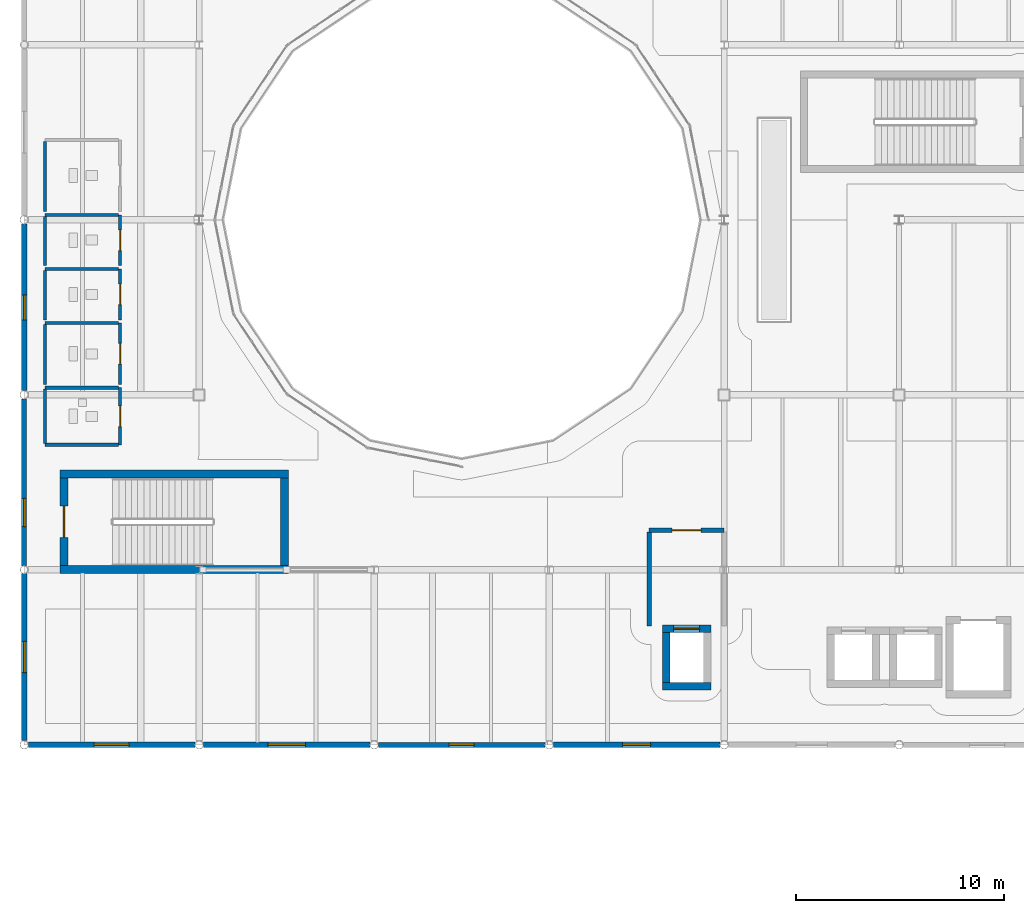
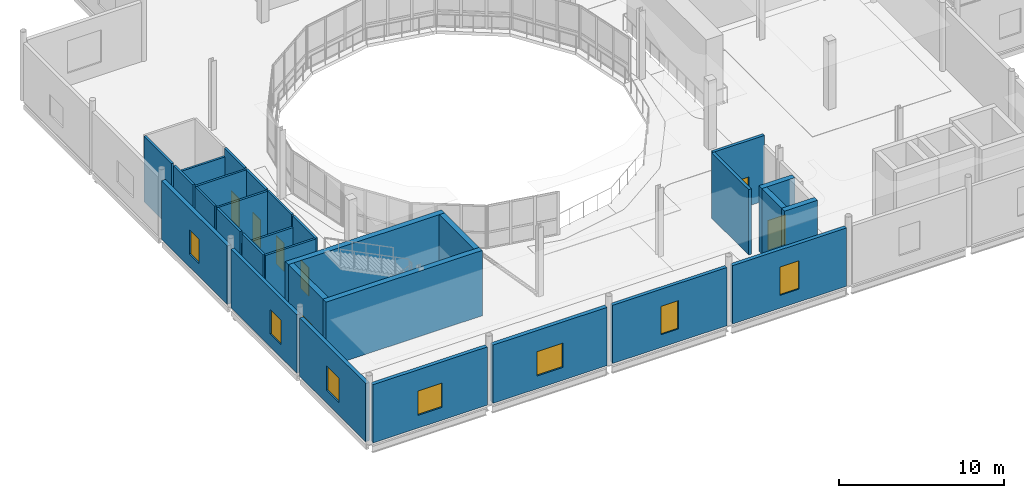
# One storey, part 62 of 103: 30 walls, 7 doors, 7 windows, 14 openings.
"""IFC4 building model written with IfcOpenShell, lengths in metres."""

import ifcopenshell
import ifcopenshell.guid

model = None  # the IFC model being written
_history = None  # IfcOwnerHistory: only IFC2X3 demands one
_inside = {}  # id of a spatial element -> (the spatial element, [elements in it])
_under = {}  # id of a project, library or spatial element -> (it, [spatial elements below it])
_declared = {}  # id of a project -> (the project, [libraries it declares])
_typed = {}  # id of a type object -> (the type object, [elements of that type])
_made_of = {}  # id of a material, layer set ... -> (it, [elements and type objects made of it])


def new_model(schema):
    """Start an empty IFC model of exactly this schema.

    Asked for "IFC4X3", IfcOpenShell would pick the latest addendum, in which some entities
    have other attributes; the version numbers below select the first issue.
    IFC2X3 requires an IfcOwnerHistory on every rooted entity: one is made here for all.
    """
    global model, _history
    if schema == "IFC4X3":
        model = ifcopenshell.file(schema_version=(4, 3, 0, 0))
    else:
        model = ifcopenshell.file(schema=schema)
    _inside.clear()
    _under.clear()
    _declared.clear()
    _typed.clear()
    _made_of.clear()
    _history = None
    if model.schema == "IFC2X3":
        org = make("IfcOrganization", Name="unknown")
        user = make(
            "IfcPersonAndOrganization",
            ThePerson=make("IfcPerson", FamilyName="unknown"),
            TheOrganization=org,
        )
        app = make(
            "IfcApplication",
            ApplicationDeveloper=org,
            Version="unknown",
            ApplicationFullName="unknown",
            ApplicationIdentifier="unknown",
        )
        _history = make(
            "IfcOwnerHistory",
            OwningUser=user,
            OwningApplication=app,
            ChangeAction="ADDED",
            CreationDate=0,
        )
    return model


def make(cls, **values):
    """One entity of the class cls with the attributes given. An attribute that is None is left unset."""
    return model.create_entity(
        cls, **{name: value for name, value in values.items() if value is not None}
    )


def rooted(cls, **values):
    """An entity with a GlobalId (a new one), such as an element, a storey or a relation."""
    return make(cls, GlobalId=ifcopenshell.guid.new(), OwnerHistory=_history, **values)


def si_unit(unit_type, name, prefix=None):
    """IfcSIUnit, for example si_unit("LENGTHUNIT", "METRE", prefix="MILLI")."""
    return make("IfcSIUnit", UnitType=unit_type, Prefix=prefix, Name=name)


def assignment(units):
    """IfcUnitAssignment: the units of a project."""
    return None if units is None else make("IfcUnitAssignment", Units=units)


def point(xyz):
    """IfcCartesianPoint."""
    return None if xyz is None else make("IfcCartesianPoint", Coordinates=xyz)


def direction(xyz):
    """IfcDirection."""
    return None if xyz is None else make("IfcDirection", DirectionRatios=xyz)


def frame(location, z_axis=None, x_axis=None):
    """IfcAxis2Placement3D, a coordinate frame: its origin and axes. An axis left out is left unset."""
    return make(
        "IfcAxis2Placement3D",
        Location=point(location),
        Axis=direction(z_axis),
        RefDirection=direction(x_axis),
    )


def frame_2d(location, x_axis=None):
    """IfcAxis2Placement2D, a coordinate frame in the plane: its origin and x axis."""
    return make(
        "IfcAxis2Placement2D", Location=point(location), RefDirection=direction(x_axis)
    )


def origin():
    """The frame at (0, 0, 0) with its axes left unset."""
    return frame((0.0, 0.0, 0.0))


def place(relative_to, where):
    """IfcLocalPlacement: puts the frame where relative to a parent placement (None: the world)."""
    return make(
        "IfcLocalPlacement", PlacementRelTo=relative_to, RelativePlacement=where
    )


def context(
    kind, dimensions, precision=None, world=None, true_north=None, identifier=None
):
    """IfcGeometricRepresentationContext, for example the 3D "Model" context."""
    return make(
        "IfcGeometricRepresentationContext",
        ContextIdentifier=identifier,
        ContextType=kind,
        CoordinateSpaceDimension=dimensions,
        Precision=precision,
        WorldCoordinateSystem=world,
        TrueNorth=true_north,
    )


def subcontext(parent, identifier, kind, view, scale=None):
    """IfcGeometricRepresentationSubContext, for example "Body" below "Model"."""
    return make(
        "IfcGeometricRepresentationSubContext",
        ContextIdentifier=identifier,
        ContextType=kind,
        ParentContext=parent,
        TargetScale=scale,
        TargetView=view,
    )


def project(units=None, contexts=None):
    """IfcProject with its units and contexts."""
    return rooted(
        "IfcProject",
        Name="project",
        RepresentationContexts=contexts,
        UnitsInContext=assignment(units),
    )


def spatial(cls, under=None, at=None, **own):
    """A site, building, storey or space (cls), placed at a placement, below another one or the project."""
    s = rooted(cls, ObjectPlacement=at, **own)
    if under is not None:
        _under.setdefault(under.id(), (under, []))[1].append(s)
    return s


def profile(cls, at=None, kind="AREA", **sizes):
    """A parametric profile (cls). Its sizes go by their IFC names, for example OverallWidth=200.0."""
    return make(cls, ProfileType=kind, Position=at, **sizes)


def rectangle(**sizes):
    """IfcRectangleProfileDef."""
    return profile("IfcRectangleProfileDef", **sizes)


def extrude(swept, where, along, depth):
    """IfcExtrudedAreaSolid: the profile swept, set in the frame where, extruded along a direction by depth."""
    return make(
        "IfcExtrudedAreaSolid",
        SweptArea=swept,
        Position=where,
        ExtrudedDirection=direction(along),
        Depth=depth,
    )


def shape(context_of_items, identifier, shape_type, items):
    """IfcShapeRepresentation: the items that make up one representation, for example the "Body"."""
    return make(
        "IfcShapeRepresentation",
        ContextOfItems=context_of_items,
        RepresentationIdentifier=identifier,
        RepresentationType=shape_type,
        Items=items,
    )


def material(Name=None, Category=None):
    """IfcMaterial."""
    return make("IfcMaterial", Name=Name, Category=Category)


def layer(
    of_material, thickness, ventilated=None, Name=None, Category=None, Priority=None
):
    """IfcMaterialLayer: one layer of a wall or slab, of a material (None: an air gap)."""
    return make(
        "IfcMaterialLayer",
        Material=of_material,
        LayerThickness=thickness,
        IsVentilated=ventilated,
        Name=Name,
        Category=Category,
        Priority=Priority,
    )


def layer_set(layers, Name=None):
    """IfcMaterialLayerSet."""
    return make("IfcMaterialLayerSet", MaterialLayers=layers, LayerSetName=Name)


def made_of(thing, what):
    """Note that an element or type object is made of a material, layer set ...; save() writes the relation."""
    if what is not None:
        _made_of.setdefault(what.id(), (what, []))[1].append(thing)
    return thing


def type_object(cls, material=None, **own):
    """A type object (cls), such as IfcWallType, which elements share."""
    return made_of(rooted(cls, **own), material)


def element(
    cls,
    number,
    at=None,
    inside=None,
    cuts=None,
    type_object=None,
    material=None,
    context=None,
    identifier="Body",
    shape_type=None,
    held_by="IfcProductDefinitionShape",
    body=None,
    shapes=None,
    **own,
):
    """One element of the class cls, such as IfcWall. Its Tag is "e" and its number.

    at: its placement. inside: the storey or other place that contains it. cuts: it is an
    opening in that element (IfcRelVoidsElement). A single representation is given by context,
    identifier, shape_type and body (its items); several are given by shapes. held_by: the class
    of the entity that holds the representations. save() writes the other relations.
    """
    e = rooted(cls, Tag="e%d" % number, ObjectPlacement=at, **own)
    if body is not None:
        shapes = [shape(context, identifier, shape_type, body)]
    if shapes is not None:
        e.Representation = make(held_by, Representations=shapes)
    if inside is not None:
        _inside.setdefault(inside.id(), (inside, []))[1].append(e)
    if cuts is not None:
        rooted(
            "IfcRelVoidsElement", RelatingBuildingElement=cuts, RelatedOpeningElement=e
        )
    if type_object is not None:
        _typed.setdefault(type_object.id(), (type_object, []))[1].append(e)
    return made_of(e, material)


def fill(opening, filler):
    """IfcRelFillsElement: the door or window that sits in an opening."""
    return rooted(
        "IfcRelFillsElement",
        RelatingOpeningElement=opening,
        RelatedBuildingElement=filler,
    )


def aggregate(whole, parts):
    """IfcRelAggregates: a whole, such as a stair, and the parts it consists of."""
    return rooted("IfcRelAggregates", RelatingObject=whole, RelatedObjects=parts)


def save(model, path):
    """Write the relations noted so far, then the file.

    IfcRelAggregates (storeys below a building ...), IfcRelContainedInSpatialStructure (elements
    in a storey), IfcRelDefinesByType, IfcRelAssociatesMaterial and IfcRelDeclares: one each for
    every whole, place, type object, material and project.
    """
    for whole, parts in _under.values():
        aggregate(whole, parts)
    for where, things in _inside.values():
        rooted(
            "IfcRelContainedInSpatialStructure",
            RelatedElements=things,
            RelatingStructure=where,
        )
    for kind, things in _typed.values():
        rooted("IfcRelDefinesByType", RelatedObjects=things, RelatingType=kind)
    for what, things in _made_of.values():
        rooted("IfcRelAssociatesMaterial", RelatedObjects=things, RelatingMaterial=what)
    for by, libraries in _declared.values():
        rooted("IfcRelDeclares", RelatingContext=by, RelatedDefinitions=libraries)
    model.write(path)


model = new_model("IFC4")

# Units and contexts
model_context = context("Model", 3, precision=1e-05, world=origin(), true_north=direction((0.0, 1.0)))
body_context = subcontext(model_context, "Body", "Model", "MODEL_VIEW")
ifc_project = project(units=[si_unit("LENGTHUNIT", "METRE"), si_unit("AREAUNIT", "SQUARE_METRE"), si_unit("VOLUMEUNIT", "CUBIC_METRE"), si_unit("PLANEANGLEUNIT", "RADIAN"), si_unit("MASSUNIT", "GRAM", prefix="KILO"), si_unit("THERMODYNAMICTEMPERATUREUNIT", "KELVIN")], contexts=[model_context])

# Site, building, storey
site_placement = place(None, origin())
site = spatial("IfcSite", under=ifc_project, at=site_placement, CompositionType="ELEMENT")
building_placement = place(site_placement, origin())
building = spatial("IfcBuilding", under=site, at=building_placement, Name="Lustrewick Department Store", CompositionType="ELEMENT")
storey_placement = place(building_placement, frame((0.0, 0.0, 16.5)))
storey = spatial("IfcBuildingStorey", under=building, at=storey_placement, Name="L04", CompositionType="ELEMENT", Elevation=16.5)

# Wall, opening, window
ifc_material_1 = material(Name="Precast concrete C40", Category="concrete")
ifc_layer_1 = layer(ifc_material_1, 0.239990234375, Name="Precast concrete C40")
ifc_layer_set_1 = layer_set([ifc_layer_1], Name="Precast concrete C40")
wall_type_1 = type_object("IfcWallType", Name="EW01", PredefinedType="STANDARD", material=ifc_layer_set_1)
wall_1_placement = place(storey_placement, frame((8.39990234375, 58.60205078125, 0.0), z_axis=(0.0, 0.0, 1.0), x_axis=(0.0, -1.0, 0.0)))
wall_1 = element("IfcWall", 1, at=wall_1_placement, inside=storey, type_object=wall_type_1, Name="L04 V1 Exterior Wall EW01", PredefinedType="STANDARD", context=body_context, shape_type="SweptSolid", body=[
    extrude(rectangle(XDim=8.0185546875, YDim=0.239990234375, at=frame_2d((4.00927734375, 0.0))), origin(), (0.0, 0.0, 1.0), 4.3310546875),
])
opening_1_placement = place(wall_1_placement, frame((4.777587890625, 0.0, 0.949951171875)))
opening_1 = element("IfcOpeningElement", 2, at=opening_1_placement, cuts=wall_1, Name="Opening WN02", PredefinedType="OPENING", context=body_context, shape_type="SweptSolid", body=[
    extrude(rectangle(XDim=1.35009765625, YDim=1.800048828125, at=frame_2d((0.675048828125, 0.89990234375))), frame((0.0, 0.1298828125, 0.0), z_axis=(0.0, -1.0, 0.0), x_axis=(1.0, 0.0, 0.0)), (0.0, 0.0, 1.0), 0.260009765625),
])
ifc_material_2 = material(Name="Thermally broken Low-E triple-glazed window", Category="glass")
window_type_1 = type_object("IfcWindowType", Name="WN02", PartitioningType="DOUBLE_PANEL_VERTICAL", PredefinedType="WINDOW", material=ifc_material_2)
window_1_placement = place(opening_1_placement, origin())
window_1 = element("IfcWindow", 3, at=window_1_placement, inside=storey, type_object=window_type_1, Name="L04 Art Nouveau Window WN02", OverallHeight=1.800048828125, OverallWidth=1.35009765625, PartitioningType="SINGLE_PANEL", PredefinedType="WINDOW", context=body_context, shape_type="SweptSolid", body=[
    extrude(rectangle(XDim=1.35009765625, YDim=1.800048828125, at=frame_2d((0.675048828125, 0.89990234375))), frame((0.0, 0.030029296875, 0.0), z_axis=(0.0, -1.0, 0.0), x_axis=(1.0, 0.0, 0.0)), (0.0, 0.0, 1.0), 0.06005859375),
])
fill(opening_1, window_1)

wall_2_placement = place(storey_placement, frame((25.39794921875, 42.0, 0.0), z_axis=(0.0, 0.0, 1.0), x_axis=(1.0, 0.0, 0.0)))
wall_2 = element("IfcWall", 4, at=wall_2_placement, inside=storey, type_object=wall_type_1, Name="L04 V1 Exterior Wall EW01", PredefinedType="STANDARD", context=body_context, shape_type="SweptSolid", body=[
    extrude(rectangle(XDim=8.004150390625, YDim=0.239990234375, at=frame_2d((4.001953125, 0.0))), origin(), (0.0, 0.0, 1.0), 4.320068359375),
])
opening_2_placement = place(wall_2_placement, frame((3.402099609375, 0.0, 0.949951171875)))
opening_2 = element("IfcOpeningElement", 5, at=opening_2_placement, cuts=wall_2, Name="Opening WN06", PredefinedType="OPENING", context=body_context, shape_type="SweptSolid", body=[
    extrude(rectangle(XDim=1.199951171875, YDim=2.10009765625, at=frame_2d((0.60009765625, 1.050048828125))), frame((0.0, 0.1298828125, 0.0), z_axis=(0.0, -1.0, 0.0), x_axis=(1.0, 0.0, 0.0)), (0.0, 0.0, 1.0), 0.260009765625),
])
window_type_2 = type_object("IfcWindowType", Name="WN06", PartitioningType="DOUBLE_PANEL_VERTICAL", PredefinedType="WINDOW", material=ifc_material_2)
window_2_placement = place(opening_2_placement, origin())
window_2 = element("IfcWindow", 6, at=window_2_placement, inside=storey, type_object=window_type_2, Name="L04 Art Nouveau Window WN06", OverallHeight=2.10009765625, OverallWidth=1.199951171875, PartitioningType="SINGLE_PANEL", PredefinedType="WINDOW", context=body_context, shape_type="SweptSolid", body=[
    extrude(rectangle(XDim=1.199951171875, YDim=2.10009765625, at=frame_2d((0.60009765625, 1.050048828125))), frame((0.0, 0.030029296875, 0.0), z_axis=(0.0, -1.0, 0.0), x_axis=(1.0, 0.0, 0.0)), (0.0, 0.0, 1.0), 0.06005859375),
])
fill(opening_2, window_2)

ifc_layer_2 = layer(ifc_material_1, 0.260009765625, Name="Precast concrete C40")
ifc_layer_set_2 = layer_set([ifc_layer_2], Name="Precast concrete C40")
wall_type_2 = type_object("IfcWallType", Name="EW02", PredefinedType="STANDARD", material=ifc_layer_set_2)
wall_3_placement = place(storey_placement, frame((8.39990234375, 50.216552734375, 0.0), z_axis=(0.0, 0.0, 1.0), x_axis=(0.0, -1.0, 0.0)))
wall_3 = element("IfcWall", 7, at=wall_3_placement, inside=storey, type_object=wall_type_2, Name="L04 V1 Exterior Wall EW02", PredefinedType="STANDARD", context=body_context, shape_type="SweptSolid", body=[
    extrude(rectangle(XDim=8.0185546875, YDim=0.260009765625, at=frame_2d((4.00927734375, 0.0))), origin(), (0.0, 0.0, 1.0), 4.320068359375),
])
opening_3_placement = place(wall_3_placement, frame((3.25927734375, 0.0, 0.949951171875)))
opening_3 = element("IfcOpeningElement", 8, at=opening_3_placement, cuts=wall_3, Name="Opening WN03", PredefinedType="OPENING", context=body_context, shape_type="SweptSolid", body=[
    extrude(rectangle(XDim=1.5, YDim=1.800048828125, at=frame_2d((0.75, 0.89990234375))), frame((0.0, 0.14013671875, 0.0), z_axis=(0.0, -1.0, 0.0), x_axis=(1.0, 0.0, 0.0)), (0.0, 0.0, 1.0), 0.280029296875),
])
window_type_3 = type_object("IfcWindowType", Name="WN03", PartitioningType="DOUBLE_PANEL_VERTICAL", PredefinedType="WINDOW", material=ifc_material_2)
window_3_placement = place(opening_3_placement, origin())
window_3 = element("IfcWindow", 9, at=window_3_placement, inside=storey, type_object=window_type_3, Name="L04 Art Nouveau Window WN03", OverallHeight=1.800048828125, OverallWidth=1.5, PartitioningType="SINGLE_PANEL", PredefinedType="WINDOW", context=body_context, shape_type="SweptSolid", body=[
    extrude(rectangle(XDim=1.5, YDim=1.800048828125, at=frame_2d((0.75, 0.89990234375))), frame((0.0, 0.030029296875, 0.0), z_axis=(0.0, -1.0, 0.0), x_axis=(1.0, 0.0, 0.0)), (0.0, 0.0, 1.0), 0.06005859375),
])
fill(opening_3, window_3)

wall_4_placement = place(storey_placement, frame((8.597900390625, 42.0, 0.0), z_axis=(0.0, 0.0, 1.0), x_axis=(1.0, 0.0, 0.0)))
wall_4 = element("IfcWall", 10, at=wall_4_placement, inside=storey, type_object=wall_type_2, Name="L04 V1 Exterior Wall EW02", PredefinedType="STANDARD", context=body_context, shape_type="SweptSolid", body=[
    extrude(rectangle(XDim=8.004150390625, YDim=0.260009765625, at=frame_2d((4.001953125, 0.0))), origin(), (0.0, 0.0, 1.0), 4.320068359375),
])
opening_4_placement = place(wall_4_placement, frame((3.162109375, 0.0, 0.949951171875)))
opening_4 = element("IfcOpeningElement", 11, at=opening_4_placement, cuts=wall_4, Name="Opening WN04", PredefinedType="OPENING", context=body_context, shape_type="SweptSolid", body=[
    extrude(rectangle(XDim=1.679931640625, YDim=1.800048828125, at=frame_2d((0.83984375, 0.89990234375))), frame((0.0, 0.14013671875, 0.0), z_axis=(0.0, -1.0, 0.0), x_axis=(1.0, 0.0, 0.0)), (0.0, 0.0, 1.0), 0.280029296875),
])
window_type_4 = type_object("IfcWindowType", Name="WN04", PartitioningType="DOUBLE_PANEL_VERTICAL", PredefinedType="WINDOW", material=ifc_material_2)
window_4_placement = place(opening_4_placement, origin())
window_4 = element("IfcWindow", 12, at=window_4_placement, inside=storey, type_object=window_type_4, Name="L04 Art Nouveau Window WN04", OverallHeight=1.800048828125, OverallWidth=1.679931640625, PartitioningType="SINGLE_PANEL", PredefinedType="WINDOW", context=body_context, shape_type="SweptSolid", body=[
    extrude(rectangle(XDim=1.679931640625, YDim=1.800048828125, at=frame_2d((0.83984375, 0.89990234375))), frame((0.0, 0.030029296875, 0.0), z_axis=(0.0, -1.0, 0.0), x_axis=(1.0, 0.0, 0.0)), (0.0, 0.0, 1.0), 0.06005859375),
])
fill(opening_4, window_4)

wall_5_placement = place(storey_placement, frame((33.798095703125, 42.0, 0.0), z_axis=(0.0, 0.0, 1.0), x_axis=(1.0, 0.0, 0.0)))
wall_5 = element("IfcWall", 13, at=wall_5_placement, inside=storey, type_object=wall_type_2, Name="L04 V1 Exterior Wall EW02", PredefinedType="STANDARD", context=body_context, shape_type="SweptSolid", body=[
    extrude(rectangle(XDim=8.00390625, YDim=0.260009765625, at=frame_2d((4.001953125, 0.0))), origin(), (0.0, 0.0, 1.0), 4.320068359375),
])
opening_5_placement = place(wall_5_placement, frame((3.326904296875, 0.0, 0.949951171875)))
opening_5 = element("IfcOpeningElement", 14, at=opening_5_placement, cuts=wall_5, Name="Opening WN07", PredefinedType="OPENING", context=body_context, shape_type="SweptSolid", body=[
    extrude(rectangle(XDim=1.35009765625, YDim=2.10009765625, at=frame_2d((0.675048828125, 1.050048828125))), frame((0.0, 0.14013671875, 0.0), z_axis=(0.0, -1.0, 0.0), x_axis=(1.0, 0.0, 0.0)), (0.0, 0.0, 1.0), 0.280029296875),
])
window_type_5 = type_object("IfcWindowType", Name="WN07", PartitioningType="DOUBLE_PANEL_VERTICAL", PredefinedType="WINDOW", material=ifc_material_2)
window_5_placement = place(opening_5_placement, origin())
window_5 = element("IfcWindow", 15, at=window_5_placement, inside=storey, type_object=window_type_5, Name="L04 Art Nouveau Window WN07", OverallHeight=2.10009765625, OverallWidth=1.35009765625, PartitioningType="SINGLE_PANEL", PredefinedType="WINDOW", context=body_context, shape_type="SweptSolid", body=[
    extrude(rectangle(XDim=1.35009765625, YDim=2.10009765625, at=frame_2d((0.675048828125, 1.050048828125))), frame((0.0, 0.030029296875, 0.0), z_axis=(0.0, -1.0, 0.0), x_axis=(1.0, 0.0, 0.0)), (0.0, 0.0, 1.0), 0.06005859375),
])
fill(opening_5, window_5)

ifc_layer_3 = layer(ifc_material_1, 0.280029296875, Name="Precast concrete C40")
ifc_layer_set_3 = layer_set([ifc_layer_3], Name="Precast concrete C40")
wall_type_3 = type_object("IfcWallType", Name="EW03", PredefinedType="STANDARD", material=ifc_layer_set_3)
wall_6_placement = place(storey_placement, frame((8.39990234375, 67.001953125, 0.0), z_axis=(0.0, 0.0, 1.0), x_axis=(0.0, -1.0, 0.0)))
wall_6 = element("IfcWall", 16, at=wall_6_placement, inside=storey, type_object=wall_type_3, Name="L04 V1 Exterior Wall EW03", PredefinedType="STANDARD", context=body_context, shape_type="SweptSolid", body=[
    extrude(rectangle(XDim=8.00390625, YDim=0.280029296875, at=frame_2d((4.001953125, 0.0))), origin(), (0.0, 0.0, 1.0), 4.3310546875),
])
opening_6_placement = place(wall_6_placement, frame((3.402099609375, 0.0, 0.949951171875)))
opening_6 = element("IfcOpeningElement", 17, at=opening_6_placement, cuts=wall_6, Name="Opening WN01", PredefinedType="OPENING", context=body_context, shape_type="SweptSolid", body=[
    extrude(rectangle(XDim=1.199951171875, YDim=1.800048828125, at=frame_2d((0.60009765625, 0.89990234375))), frame((0.0, 0.14990234375, 0.0), z_axis=(0.0, -1.0, 0.0), x_axis=(1.0, 0.0, 0.0)), (0.0, 0.0, 1.0), 0.300048828125),
])
window_type_6 = type_object("IfcWindowType", Name="WN01", PartitioningType="DOUBLE_PANEL_VERTICAL", PredefinedType="WINDOW", material=ifc_material_2)
window_6_placement = place(opening_6_placement, origin())
window_6 = element("IfcWindow", 18, at=window_6_placement, inside=storey, type_object=window_type_6, Name="L04 Art Nouveau Window WN01", OverallHeight=1.800048828125, OverallWidth=1.199951171875, PartitioningType="SINGLE_PANEL", PredefinedType="WINDOW", context=body_context, shape_type="SweptSolid", body=[
    extrude(rectangle(XDim=1.199951171875, YDim=1.800048828125, at=frame_2d((0.60009765625, 0.89990234375))), frame((0.0, 0.030029296875, 0.0), z_axis=(0.0, -1.0, 0.0), x_axis=(1.0, 0.0, 0.0)), (0.0, 0.0, 1.0), 0.06005859375),
])
fill(opening_6, window_6)

wall_7_placement = place(storey_placement, frame((16.998046875, 42.0, 0.0), z_axis=(0.0, 0.0, 1.0), x_axis=(1.0, 0.0, 0.0)))
wall_7 = element("IfcWall", 19, at=wall_7_placement, inside=storey, type_object=wall_type_3, Name="L04 V1 Exterior Wall EW03", PredefinedType="STANDARD", context=body_context, shape_type="SweptSolid", body=[
    extrude(rectangle(XDim=8.00390625, YDim=0.280029296875, at=frame_2d((4.001953125, 0.0))), origin(), (0.0, 0.0, 1.0), 4.320068359375),
])
opening_7_placement = place(wall_7_placement, frame((3.10205078125, 0.0, 0.949951171875)))
opening_7 = element("IfcOpeningElement", 20, at=opening_7_placement, cuts=wall_7, Name="Opening WN05", PredefinedType="OPENING", context=body_context, shape_type="SweptSolid", body=[
    extrude(rectangle(XDim=1.800048828125, YDim=1.800048828125, at=frame_2d((0.89990234375, 0.89990234375))), frame((0.0, 0.14990234375, 0.0), z_axis=(0.0, -1.0, 0.0), x_axis=(1.0, 0.0, 0.0)), (0.0, 0.0, 1.0), 0.300048828125),
])
window_type_7 = type_object("IfcWindowType", Name="WN05", PartitioningType="DOUBLE_PANEL_VERTICAL", PredefinedType="WINDOW", material=ifc_material_2)
window_7_placement = place(opening_7_placement, origin())
window_7 = element("IfcWindow", 21, at=window_7_placement, inside=storey, type_object=window_type_7, Name="L04 Art Nouveau Window WN05", OverallHeight=1.800048828125, OverallWidth=1.800048828125, PartitioningType="SINGLE_PANEL", PredefinedType="WINDOW", context=body_context, shape_type="SweptSolid", body=[
    extrude(rectangle(XDim=1.800048828125, YDim=1.800048828125, at=frame_2d((0.89990234375, 0.89990234375))), frame((0.0, 0.030029296875, 0.0), z_axis=(0.0, -1.0, 0.0), x_axis=(1.0, 0.0, 0.0)), (0.0, 0.0, 1.0), 0.06005859375),
])
fill(opening_7, window_7)

# Wall, opening, door
ifc_material_3 = material(Name="Autoclaved aerated concrete blockwork and fire board", Category="masonry")
ifc_layer_4 = layer(ifc_material_3, 0.205078125, Name="Autoclaved aerated concrete blockwork and fire board")
ifc_layer_set_4 = layer_set([ifc_layer_4], Name="Autoclaved aerated concrete blockwork and fire board")
wall_type_4 = type_object("IfcWallType", Name="PW02", PredefinedType="PARTITIONING", material=ifc_layer_set_4)
wall_8_placement = place(storey_placement, frame((42.0, 52.300048828125, 0.0), z_axis=(0.0, 0.0, 1.0), x_axis=(-1.0, 0.0, 0.0)))
wall_8 = element("IfcWall", 22, at=wall_8_placement, inside=storey, type_object=wall_type_4, Name="L04 Firefighting Lift Lobby FFL-01 PW02", PredefinedType="PARTITIONING", context=body_context, shape_type="SweptSolid", body=[
    extrude(rectangle(XDim=3.60009765625, YDim=0.205078125, at=frame_2d((1.800048828125, 0.0))), origin(), (0.0, 0.0, 1.0), 4.844970703125),
])
opening_8_placement = place(wall_8_placement, frame((1.10009765625, 0.0, 0.0)))
opening_8 = element("IfcOpeningElement", 23, at=opening_8_placement, cuts=wall_8, Name="Opening D-L04-041", PredefinedType="OPENING", context=body_context, shape_type="SweptSolid", body=[
    extrude(rectangle(XDim=1.39990234375, YDim=2.14990234375, at=frame_2d((0.699951171875, 1.074951171875))), frame((0.0, 0.112548828125, 0.0), z_axis=(0.0, -1.0, 0.0), x_axis=(1.0, 0.0, 0.0)), (0.0, 0.0, 1.0), 0.22509765625),
])
ifc_material_4 = material(Name="Steel fire door Class B EI 60", Category="steel")
door_type_1 = type_object("IfcDoorType", Name="DT-08", OperationType="NOTDEFINED", PredefinedType="DOOR", material=ifc_material_4)
door_1_placement = place(opening_8_placement, origin())
door_1 = element("IfcDoor", 24, at=door_1_placement, inside=storey, type_object=door_type_1, Name="L04 Firefighting Lift Lobby FFL-01 Door D-L04-041", OperationType="SINGLE_SWING_LEFT", OverallHeight=2.14990234375, OverallWidth=1.39990234375, PredefinedType="DOOR", context=body_context, shape_type="SweptSolid", body=[
    extrude(rectangle(XDim=1.39990234375, YDim=2.14990234375, at=frame_2d((0.699951171875, 1.074951171875))), frame((0.0, 0.02490234375, 0.0), z_axis=(0.0, -1.0, 0.0), x_axis=(1.0, 0.0, 0.0)), (0.0, 0.0, 1.0), 0.050048828125),
])
fill(opening_8, door_1)

# Wall
wall_9_placement = place(storey_placement, frame((38.39990234375, 52.202392578125, 0.0), z_axis=(0.0, 0.0, 1.0), x_axis=(0.0, -1.0, 0.0)))
element("IfcWall", 25, at=wall_9_placement, inside=storey, type_object=wall_type_4, Name="L04 Firefighting Lift Lobby FFL-01 PW02", PredefinedType="PARTITIONING", context=body_context, shape_type="SweptSolid", body=[
    extrude(rectangle(XDim=4.50244140625, YDim=0.205078125, at=frame_2d((2.251220703125, 0.0))), origin(), (0.0, 0.0, 1.0), 4.844970703125),
])

# Wall, opening, door
ifc_material_5 = material(Name="Moisture-resistant cement board sanitary partition", Category="gypsum")
ifc_layer_5 = layer(ifc_material_5, 0.14990234375, Name="Moisture-resistant cement board sanitary partition")
ifc_layer_set_5 = layer_set([ifc_layer_5], Name="Moisture-resistant cement board sanitary partition")
wall_type_5 = type_object("IfcWallType", Name="PW05", PredefinedType="PARTITIONING", material=ifc_layer_set_5)
wall_10_placement = place(storey_placement, frame((13.0, 56.39990234375, 0.0), z_axis=(0.0, 0.0, 1.0), x_axis=(0.0, 1.0, 0.0)))
wall_10 = element("IfcWall", 26, at=wall_10_placement, inside=storey, type_object=wall_type_5, Name="L04 Male Public WC PW05", PredefinedType="PARTITIONING", context=body_context, shape_type="SweptSolid", body=[
    extrude(rectangle(XDim=2.739990234375, YDim=0.14990234375, at=frame_2d((1.3701171875, 0.0))), origin(), (0.0, 0.0, 1.0), 4.844970703125),
])
opening_9_placement = place(wall_10_placement, frame((0.8701171875, 0.0, 0.0)))
opening_9 = element("IfcOpeningElement", 27, at=opening_9_placement, cuts=wall_10, Name="Opening D-L04-042", PredefinedType="OPENING", context=body_context, shape_type="SweptSolid", body=[
    extrude(rectangle(XDim=1.0, YDim=2.10009765625, at=frame_2d((0.5, 1.050048828125))), frame((0.0, 0.0849609375, 0.0), z_axis=(0.0, -1.0, 0.0), x_axis=(1.0, 0.0, 0.0)), (0.0, 0.0, 1.0), 0.169921875),
])
ifc_material_6 = material(Name="Moisture-resistant laminate sanitary door", Category="steel")
door_type_2 = type_object("IfcDoorType", Name="DT-11", OperationType="NOTDEFINED", PredefinedType="DOOR", material=ifc_material_6)
door_2_placement = place(opening_9_placement, origin())
door_2 = element("IfcDoor", 28, at=door_2_placement, inside=storey, type_object=door_type_2, Name="L04 Male Public WC Door D-L04-042", OperationType="SINGLE_SWING_RIGHT", OverallHeight=2.10009765625, OverallWidth=1.0, PredefinedType="DOOR", context=body_context, shape_type="SweptSolid", body=[
    extrude(rectangle(XDim=1.0, YDim=2.10009765625, at=frame_2d((0.5, 1.050048828125))), frame((0.0, 0.02490234375, 0.0), z_axis=(0.0, -1.0, 0.0), x_axis=(1.0, 0.0, 0.0)), (0.0, 0.0, 1.0), 0.050048828125),
])
fill(opening_9, door_2)

# Walls
wall_11_placement = place(storey_placement, frame((9.39990234375, 56.39990234375, 0.0), z_axis=(0.0, 0.0, 1.0), x_axis=(1.0, 0.0, 0.0)))
element("IfcWall", 29, at=wall_11_placement, inside=storey, type_object=wall_type_5, Name="L04 Male Public WC PW05", PredefinedType="PARTITIONING", context=body_context, shape_type="SweptSolid", body=[
    extrude(rectangle(XDim=3.530029296875, YDim=0.14990234375, at=frame_2d((1.76513671875, 0.0))), origin(), (0.0, 0.0, 1.0), 4.844970703125),
])
wall_12_placement = place(storey_placement, frame((12.929931640625, 59.139892578125, 0.0), z_axis=(0.0, 0.0, 1.0), x_axis=(-1.0, 0.0, 0.0)))
element("IfcWall", 30, at=wall_12_placement, inside=storey, type_object=wall_type_5, Name="L04 Male Public WC PW05", PredefinedType="PARTITIONING", context=body_context, shape_type="SweptSolid", body=[
    extrude(rectangle(XDim=3.530029296875, YDim=0.14990234375, at=frame_2d((1.76513671875, 0.0))), origin(), (0.0, 0.0, 1.0), 4.029052734375),
])
wall_13_placement = place(storey_placement, frame((9.39990234375, 59.070068359375, 0.0), z_axis=(0.0, 0.0, 1.0), x_axis=(0.0, -1.0, 0.0)))
element("IfcWall", 31, at=wall_13_placement, inside=storey, type_object=wall_type_5, Name="L04 Male Public WC PW05", PredefinedType="PARTITIONING", context=body_context, shape_type="SweptSolid", body=[
    extrude(rectangle(XDim=2.60009765625, YDim=0.14990234375, at=frame_2d((1.300048828125, 0.0))), origin(), (0.0, 0.0, 1.0), 4.844970703125),
])

# Wall, opening, door
wall_14_placement = place(storey_placement, frame((13.0, 59.300048828125, 0.0), z_axis=(0.0, 0.0, 1.0), x_axis=(0.0, 1.0, 0.0)))
wall_14 = element("IfcWall", 32, at=wall_14_placement, inside=storey, type_object=wall_type_5, Name="L04 Female Public WC PW05", PredefinedType="PARTITIONING", context=body_context, shape_type="SweptSolid", body=[
    extrude(rectangle(XDim=2.93994140625, YDim=0.14990234375, at=frame_2d((1.469970703125, 0.0))), origin(), (0.0, 0.0, 1.0), 4.844970703125),
])
opening_10_placement = place(wall_14_placement, frame((0.969970703125, 0.0, 0.0)))
opening_10 = element("IfcOpeningElement", 33, at=opening_10_placement, cuts=wall_14, Name="Opening D-L04-043", PredefinedType="OPENING", context=body_context, shape_type="SweptSolid", body=[
    extrude(rectangle(XDim=1.0, YDim=2.10009765625, at=frame_2d((0.5, 1.050048828125))), frame((0.0, 0.0849609375, 0.0), z_axis=(0.0, -1.0, 0.0), x_axis=(1.0, 0.0, 0.0)), (0.0, 0.0, 1.0), 0.169921875),
])
door_3_placement = place(opening_10_placement, origin())
door_3 = element("IfcDoor", 34, at=door_3_placement, inside=storey, type_object=door_type_2, Name="L04 Female Public WC Door D-L04-043", OperationType="SINGLE_SWING_LEFT", OverallHeight=2.10009765625, OverallWidth=1.0, PredefinedType="DOOR", context=body_context, shape_type="SweptSolid", body=[
    extrude(rectangle(XDim=1.0, YDim=2.10009765625, at=frame_2d((0.5, 1.050048828125))), frame((0.0, 0.02490234375, 0.0), z_axis=(0.0, -1.0, 0.0), x_axis=(1.0, 0.0, 0.0)), (0.0, 0.0, 1.0), 0.050048828125),
])
fill(opening_10, door_3)

# Walls
wall_15_placement = place(storey_placement, frame((12.929931640625, 62.239990234375, 0.0), z_axis=(0.0, 0.0, 1.0), x_axis=(-1.0, 0.0, 0.0)))
element("IfcWall", 35, at=wall_15_placement, inside=storey, type_object=wall_type_5, Name="L04 Female Public WC PW05", PredefinedType="PARTITIONING", context=body_context, shape_type="SweptSolid", body=[
    extrude(rectangle(XDim=3.530029296875, YDim=0.14990234375, at=frame_2d((1.76513671875, 0.0))), origin(), (0.0, 0.0, 1.0), 4.844970703125),
])
wall_16_placement = place(storey_placement, frame((9.39990234375, 62.169921875, 0.0), z_axis=(0.0, 0.0, 1.0), x_axis=(0.0, -1.0, 0.0)))
element("IfcWall", 36, at=wall_16_placement, inside=storey, type_object=wall_type_5, Name="L04 Female Public WC PW05", PredefinedType="PARTITIONING", context=body_context, shape_type="SweptSolid", body=[
    extrude(rectangle(XDim=2.869873046875, YDim=0.14990234375, at=frame_2d((1.43505859375, 0.0))), origin(), (0.0, 0.0, 1.0), 4.844970703125),
])

# Wall, opening, door
wall_17_placement = place(storey_placement, frame((13.0, 62.39990234375, 0.0), z_axis=(0.0, 0.0, 1.0), x_axis=(0.0, 1.0, 0.0)))
wall_17 = element("IfcWall", 37, at=wall_17_placement, inside=storey, type_object=wall_type_5, Name="L04 Accessible WC PW05", PredefinedType="PARTITIONING", context=body_context, shape_type="SweptSolid", body=[
    extrude(rectangle(XDim=2.440185546875, YDim=0.14990234375, at=frame_2d((1.22021484375, 0.0))), origin(), (0.0, 0.0, 1.0), 4.844970703125),
])
opening_11_placement = place(wall_17_placement, frame((0.72998046875, 0.0, 0.0)))
opening_11 = element("IfcOpeningElement", 38, at=opening_11_placement, cuts=wall_17, Name="Opening D-L04-044", PredefinedType="OPENING", context=body_context, shape_type="SweptSolid", body=[
    extrude(rectangle(XDim=0.97998046875, YDim=2.10009765625, at=frame_2d((0.489990234375, 1.050048828125))), frame((0.0, 0.0849609375, 0.0), z_axis=(0.0, -1.0, 0.0), x_axis=(1.0, 0.0, 0.0)), (0.0, 0.0, 1.0), 0.169921875),
])
ifc_material_7 = material(Name="Barrier-free accessible sanitary door", Category="steel")
door_type_3 = type_object("IfcDoorType", Name="DT-12", OperationType="NOTDEFINED", PredefinedType="DOOR", material=ifc_material_7)
door_4_placement = place(opening_11_placement, origin())
door_4 = element("IfcDoor", 39, at=door_4_placement, inside=storey, type_object=door_type_3, Name="L04 Accessible WC Door D-L04-044", OperationType="SINGLE_SWING_RIGHT", OverallHeight=2.10009765625, OverallWidth=0.97998046875, PredefinedType="DOOR", context=body_context, shape_type="SweptSolid", body=[
    extrude(rectangle(XDim=0.97998046875, YDim=2.10009765625, at=frame_2d((0.489990234375, 1.050048828125))), frame((0.0, 0.02490234375, 0.0), z_axis=(0.0, -1.0, 0.0), x_axis=(1.0, 0.0, 0.0)), (0.0, 0.0, 1.0), 0.050048828125),
])
fill(opening_11, door_4)

# Walls
wall_18_placement = place(storey_placement, frame((12.929931640625, 64.840087890625, 0.0), z_axis=(0.0, 0.0, 1.0), x_axis=(-1.0, 0.0, 0.0)))
element("IfcWall", 40, at=wall_18_placement, inside=storey, type_object=wall_type_5, Name="L04 Accessible WC PW05", PredefinedType="PARTITIONING", context=body_context, shape_type="SweptSolid", body=[
    extrude(rectangle(XDim=3.530029296875, YDim=0.14990234375, at=frame_2d((1.76513671875, 0.0))), origin(), (0.0, 0.0, 1.0), 4.844970703125),
])
wall_19_placement = place(storey_placement, frame((9.39990234375, 64.77001953125, 0.0), z_axis=(0.0, 0.0, 1.0), x_axis=(0.0, -1.0, 0.0)))
element("IfcWall", 41, at=wall_19_placement, inside=storey, type_object=wall_type_5, Name="L04 Accessible WC PW05", PredefinedType="PARTITIONING", context=body_context, shape_type="SweptSolid", body=[
    extrude(rectangle(XDim=2.3701171875, YDim=0.14990234375, at=frame_2d((1.18505859375, 0.0))), origin(), (0.0, 0.0, 1.0), 4.844970703125),
])

# Wall, opening, door
wall_20_placement = place(storey_placement, frame((13.0, 65.0, 0.0), z_axis=(0.0, 0.0, 1.0), x_axis=(0.0, 1.0, 0.0)))
wall_20 = element("IfcWall", 42, at=wall_20_placement, inside=storey, type_object=wall_type_5, Name="L04 Staff WC PW05", PredefinedType="PARTITIONING", context=body_context, shape_type="SweptSolid", body=[
    extrude(rectangle(XDim=2.43994140625, YDim=0.14990234375, at=frame_2d((1.219970703125, 0.0))), origin(), (0.0, 0.0, 1.0), 4.844970703125),
])
opening_12_placement = place(wall_20_placement, frame((0.719970703125, 0.0, 0.0)))
opening_12 = element("IfcOpeningElement", 43, at=opening_12_placement, cuts=wall_20, Name="Opening D-L04-045", PredefinedType="OPENING", context=body_context, shape_type="SweptSolid", body=[
    extrude(rectangle(XDim=1.0, YDim=2.10009765625, at=frame_2d((0.5, 1.050048828125))), frame((0.0, 0.0849609375, 0.0), z_axis=(0.0, -1.0, 0.0), x_axis=(1.0, 0.0, 0.0)), (0.0, 0.0, 1.0), 0.169921875),
])
door_5_placement = place(opening_12_placement, origin())
door_5 = element("IfcDoor", 44, at=door_5_placement, inside=storey, type_object=door_type_2, Name="L04 Staff WC Door D-L04-045", OperationType="SINGLE_SWING_LEFT", OverallHeight=2.10009765625, OverallWidth=1.0, PredefinedType="DOOR", context=body_context, shape_type="SweptSolid", body=[
    extrude(rectangle(XDim=1.0, YDim=2.10009765625, at=frame_2d((0.5, 1.050048828125))), frame((0.0, 0.02490234375, 0.0), z_axis=(0.0, -1.0, 0.0), x_axis=(1.0, 0.0, 0.0)), (0.0, 0.0, 1.0), 0.050048828125),
])
fill(opening_12, door_5)

# Walls
wall_21_placement = place(storey_placement, frame((12.929931640625, 67.43994140625, 0.0), z_axis=(0.0, 0.0, 1.0), x_axis=(-1.0, 0.0, 0.0)))
element("IfcWall", 45, at=wall_21_placement, inside=storey, type_object=wall_type_5, Name="L04 Staff WC PW05", PredefinedType="PARTITIONING", context=body_context, shape_type="SweptSolid", body=[
    extrude(rectangle(XDim=3.530029296875, YDim=0.14990234375, at=frame_2d((1.76513671875, 0.0))), origin(), (0.0, 0.0, 1.0), 4.23095703125),
])
wall_22_placement = place(storey_placement, frame((9.39990234375, 67.3701171875, 0.0), z_axis=(0.0, 0.0, 1.0), x_axis=(0.0, -1.0, 0.0)))
element("IfcWall", 46, at=wall_22_placement, inside=storey, type_object=wall_type_5, Name="L04 Staff WC PW05", PredefinedType="PARTITIONING", context=body_context, shape_type="SweptSolid", body=[
    extrude(rectangle(XDim=2.3701171875, YDim=0.14990234375, at=frame_2d((1.18505859375, 0.0))), origin(), (0.0, 0.0, 1.0), 4.844970703125),
])
wall_23_placement = place(storey_placement, frame((9.39990234375, 70.969970703125, 0.0), z_axis=(0.0, 0.0, 1.0), x_axis=(0.0, -1.0, 0.0)))
element("IfcWall", 47, at=wall_23_placement, inside=storey, type_object=wall_type_5, Name="L04 Nursery Room PW05", PredefinedType="PARTITIONING", context=body_context, shape_type="SweptSolid", body=[
    extrude(rectangle(XDim=3.369873046875, YDim=0.14990234375, at=frame_2d((1.68505859375, 0.0))), origin(), (0.0, 0.0, 1.0), 4.844970703125),
])
ifc_material_8 = material(Name="Concrete C40", Category="concrete")
ifc_layer_6 = layer(ifc_material_8, 0.3798828125, Name="Concrete C40")
ifc_layer_set_6 = layer_set([ifc_layer_6], Name="Concrete C40")
wall_type_6 = type_object("IfcWallType", Name="SW03", PredefinedType="SHEAR", material=ifc_layer_set_6)
wall_24_placement = place(storey_placement, frame((10.1201171875, 50.409912109375, 0.0), z_axis=(0.0, 0.0, 1.0), x_axis=(1.0, 0.0, 0.0)))
element("IfcWall", 48, at=wall_24_placement, inside=storey, type_object=wall_type_6, Name="L04 Stair Core ST01 Shear Wall S", PredefinedType="SHEAR", context=body_context, shape_type="SweptSolid", body=[
    extrude(rectangle(XDim=10.9599609375, YDim=0.3798828125, at=frame_2d((5.47998046875, 0.0))), origin(), (0.0, 0.0, 1.0), 4.844970703125),
])
wall_25_placement = place(storey_placement, frame((20.889892578125, 50.60009765625, 0.0), z_axis=(0.0, 0.0, 1.0), x_axis=(0.0, 1.0, 0.0)))
element("IfcWall", 49, at=wall_25_placement, inside=storey, type_object=wall_type_6, Name="L04 Stair Core ST01 Shear Wall E", PredefinedType="SHEAR", context=body_context, shape_type="SweptSolid", body=[
    extrude(rectangle(XDim=4.199951171875, YDim=0.3798828125, at=frame_2d((2.10009765625, 0.0))), origin(), (0.0, 0.0, 1.0), 4.844970703125),
])
wall_26_placement = place(storey_placement, frame((21.080078125, 54.989990234375, 0.0), z_axis=(0.0, 0.0, 1.0), x_axis=(-1.0, 0.0, 0.0)))
element("IfcWall", 50, at=wall_26_placement, inside=storey, type_object=wall_type_6, Name="L04 Stair Core ST01 Shear Wall N", PredefinedType="SHEAR", context=body_context, shape_type="SweptSolid", body=[
    extrude(rectangle(XDim=10.9599609375, YDim=0.3798828125, at=frame_2d((5.47998046875, 0.0))), origin(), (0.0, 0.0, 1.0), 4.844970703125),
])

# Wall, opening, door
wall_27_placement = place(storey_placement, frame((10.31005859375, 54.800048828125, 0.0), z_axis=(0.0, 0.0, 1.0), x_axis=(0.0, -1.0, 0.0)))
wall_27 = element("IfcWall", 51, at=wall_27_placement, inside=storey, type_object=wall_type_6, Name="L04 Stair Core ST01 Shear Wall W", PredefinedType="SHEAR", context=body_context, shape_type="SweptSolid", body=[
    extrude(rectangle(XDim=4.199951171875, YDim=0.3798828125, at=frame_2d((2.10009765625, 0.0))), origin(), (0.0, 0.0, 1.0), 4.844970703125),
])
opening_13_placement = place(wall_27_placement, frame((1.35009765625, 0.0, 0.0)))
opening_13 = element("IfcOpeningElement", 52, at=opening_13_placement, cuts=wall_27, Name="Opening D-L04-001", PredefinedType="OPENING", context=body_context, shape_type="SweptSolid", body=[
    extrude(rectangle(XDim=1.5, YDim=2.14990234375, at=frame_2d((0.75, 1.074951171875))), frame((0.0, 0.199951171875, 0.0), z_axis=(0.0, -1.0, 0.0), x_axis=(1.0, 0.0, 0.0)), (0.0, 0.0, 1.0), 0.39990234375),
])
door_type_4 = type_object("IfcDoorType", Name="DT-07", OperationType="NOTDEFINED", PredefinedType="DOOR", material=ifc_material_4)
door_6_placement = place(opening_13_placement, origin())
door_6 = element("IfcDoor", 53, at=door_6_placement, inside=storey, type_object=door_type_4, Name="L04 Smoke-Proof Stair ST01 Fire Door", OperationType="SINGLE_SWING_RIGHT", OverallHeight=2.14990234375, OverallWidth=1.5, PredefinedType="DOOR", context=body_context, shape_type="SweptSolid", body=[
    extrude(rectangle(XDim=1.5, YDim=2.14990234375, at=frame_2d((0.75, 1.074951171875))), frame((0.0, 0.02490234375, 0.0), z_axis=(0.0, -1.0, 0.0), x_axis=(1.0, 0.0, 0.0)), (0.0, 0.0, 1.0), 0.050048828125),
])
fill(opening_13, door_6)

# Wall
ifc_layer_7 = layer(ifc_material_8, 0.360107421875, Name="Concrete C40")
ifc_layer_set_7 = layer_set([ifc_layer_7], Name="Concrete C40")
wall_type_7 = type_object("IfcWallType", Name="SW04", PredefinedType="SHEAR", material=ifc_layer_set_7)
wall_28_placement = place(storey_placement, frame((39.0400390625, 44.820068359375, 0.0), z_axis=(0.0, 0.0, 1.0), x_axis=(1.0, 0.0, 0.0)))
element("IfcWall", 54, at=wall_28_placement, inside=storey, type_object=wall_type_7, Name="L04 Lift FFL-01 Shaft Wall -Y", PredefinedType="SHEAR", context=body_context, shape_type="SweptSolid", body=[
    extrude(rectangle(XDim=2.320068359375, YDim=0.360107421875, at=frame_2d((1.16015625, 0.0))), origin(), (0.0, 0.0, 1.0), 4.844970703125),
])

# Wall, opening, door
wall_29_placement = place(storey_placement, frame((41.360107421875, 47.580078125, 0.0), z_axis=(0.0, 0.0, 1.0), x_axis=(-1.0, 0.0, 0.0)))
wall_29 = element("IfcWall", 55, at=wall_29_placement, inside=storey, type_object=wall_type_7, Name="L04 Lift FFL-01 Shaft Wall +Y", PredefinedType="SHEAR", context=body_context, shape_type="SweptSolid", body=[
    extrude(rectangle(XDim=2.320068359375, YDim=0.360107421875, at=frame_2d((1.16015625, 0.0))), origin(), (0.0, 0.0, 1.0), 4.844970703125),
])
opening_14_placement = place(wall_29_placement, frame((0.534912109375, 0.0, 0.0)))
opening_14 = element("IfcOpeningElement", 56, at=opening_14_placement, cuts=wall_29, Name="Opening LD-L04-01", PredefinedType="OPENING", context=body_context, shape_type="SweptSolid", body=[
    extrude(rectangle(XDim=1.25, YDim=2.199951171875, at=frame_2d((0.625, 1.10009765625))), frame((0.0, 0.18994140625, 0.0), z_axis=(0.0, -1.0, 0.0), x_axis=(1.0, 0.0, 0.0)), (0.0, 0.0, 1.0), 0.380126953125),
])
ifc_material_9 = material(Name="Stainless steel firefighting lift landing door EI 90", Category="steel")
door_type_5 = type_object("IfcDoorType", Name="DT-15", OperationType="NOTDEFINED", PredefinedType="DOOR", material=ifc_material_9)
door_7_placement = place(opening_14_placement, frame((1.25, 0.0, 0.0), z_axis=(0.0, 0.0, 1.0), x_axis=(-1.0, 0.0, 0.0)))
door_7 = element("IfcDoor", 57, at=door_7_placement, inside=storey, type_object=door_type_5, Name="L04 Lift FFL-01 Sliding Landing Door LD-L04-01", OperationType="DOUBLE_DOOR_SLIDING", OverallHeight=2.199951171875, OverallWidth=1.25, PredefinedType="DOOR", context=body_context, shape_type="SweptSolid", body=[
    extrude(rectangle(XDim=1.25, YDim=2.199951171875, at=frame_2d((0.625, 1.10009765625))), frame((0.0, 0.02490234375, 0.0), z_axis=(0.0, -1.0, 0.0), x_axis=(1.0, 0.0, 0.0)), (0.0, 0.0, 1.0), 0.050048828125),
])
fill(opening_14, door_7)

# Wall
wall_30_placement = place(storey_placement, frame((39.219970703125, 47.39990234375, 0.0), z_axis=(0.0, 0.0, 1.0), x_axis=(0.0, -1.0, 0.0)))
element("IfcWall", 58, at=wall_30_placement, inside=storey, type_object=wall_type_7, Name="L04 Lift FFL-01 Shaft Wall -X", PredefinedType="SHEAR", context=body_context, shape_type="SweptSolid", body=[
    extrude(rectangle(XDim=2.39990234375, YDim=0.360107421875, at=frame_2d((1.199951171875, 0.0))), origin(), (0.0, 0.0, 1.0), 4.844970703125),
])

save(model, "model.ifc")
